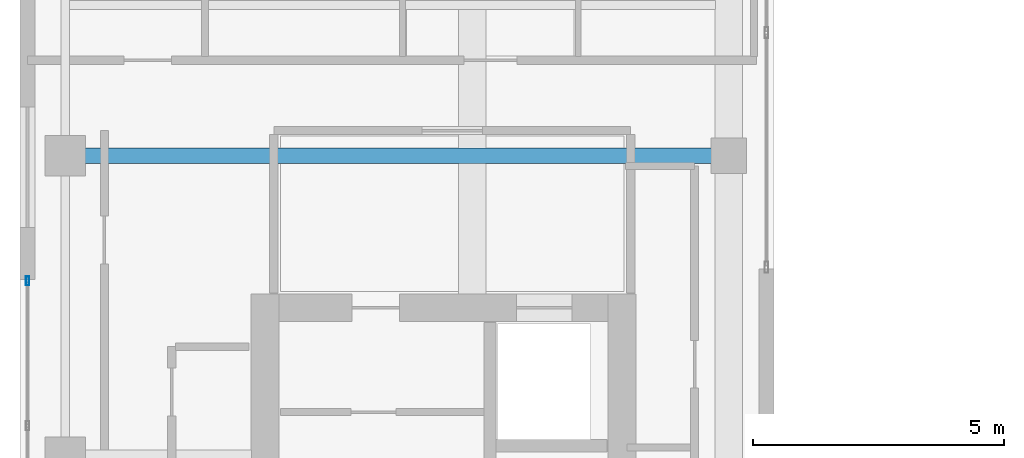
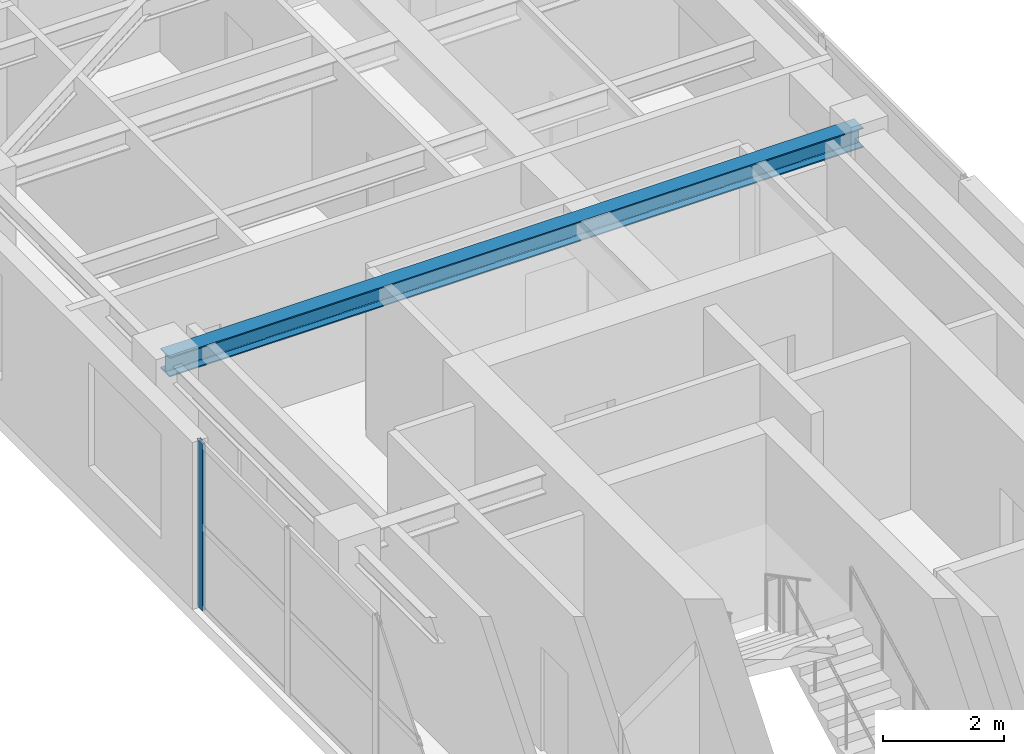
# One storey, part 8 of 23: 1 beam, 1 member, 1 element without a shape of its own.
"""IFC4 building model written with IfcOpenShell, lengths in metres."""

from ifc_helpers import new_model, si_unit, direction, frame, origin, origin_2d, place, context, subcontext, project, spatial, hollow_rectangle, i_section, extrude, source, transform, mapped, material, layer, layer_set, material_profile, profile_set, type_object, element, aggregate, save


model = new_model("IFC4")

# Units and contexts
model_context = context("Model", 3, precision=1e-05, world=origin(), true_north=direction((0.0, 1.0)))
body_context = subcontext(model_context, "Body", "Model", "MODEL_VIEW")
ifc_project = project(units=[si_unit("LENGTHUNIT", "METRE"), si_unit("AREAUNIT", "SQUARE_METRE"), si_unit("VOLUMEUNIT", "CUBIC_METRE"), si_unit("PLANEANGLEUNIT", "RADIAN"), si_unit("MASSUNIT", "GRAM", prefix="KILO")], contexts=[model_context])

# Site, building, storey
site_placement = place(None, origin())
site = spatial("IfcSite", under=ifc_project, at=site_placement, CompositionType="ELEMENT")
building_placement = place(site_placement, origin())
building = spatial("IfcBuilding", under=site, at=building_placement, Name="Khoralis Quay Care Tower", CompositionType="ELEMENT")
storey_placement = place(building_placement, frame((0.0, 0.0, 252.89990234375)))
storey = spatial("IfcBuildingStorey", under=building, at=storey_placement, Name="L66", CompositionType="ELEMENT", Elevation=252.89990234375)

# Beam
ifc_material_1 = material(Name="Steel S355", Category="steel")
ifc_material_profile_1 = material_profile(ifc_material_1, i_section(OverallWidth=0.300048828125, OverallDepth=0.39990234375, WebThickness=0.013427734375, FlangeThickness=0.02392578125, FilletRadius=0.027099609375, at=origin_2d()), Name="Steel S355")
ifc_profile_set_1 = profile_set([ifc_material_profile_1], Name="Steel S355")
beam_type = type_object("IfcBeamType", Name="BM-HEB400", PredefinedType="BEAM", material=ifc_profile_set_1)
shared_shape_1 = source(origin(), body_context, "Body", "SweptSolid", [
    extrude(i_section(OverallWidth=0.300048828125, OverallDepth=0.39990234375, WebThickness=0.013427734375, FlangeThickness=0.02392578125, FilletRadius=0.027099609375, at=origin_2d()), origin(), (0.0, 0.0, 1.0), 13.2001953125),
])
beam_placement = place(storey_placement, frame((3.89990234375, 30.0, 3.16015625), z_axis=(1.0, 0.0, 0.0), x_axis=(0.0, 1.0, 0.0)))
element("IfcBeam", 1, at=beam_placement, inside=storey, type_object=beam_type, Name="BM-TGXW-L66-300", PredefinedType="BEAM", context=body_context, shape_type="MappedRepresentation", body=[
    mapped(shared_shape_1, transform((0.0, 0.0, 0.0), scale=1.0)),
])

# Curtain wall, member
ifc_material_2 = material(Name="Pale anodised aluminium", Category="aluminium")
ifc_layer = layer(ifc_material_2, 0.159912109375)
ifc_layer_set = layer_set([ifc_layer], Name="Pale anodised aluminium")
curtain_wall_type = type_object("IfcCurtainWallType", Name="CW-SYS-Z3", PredefinedType="NOTDEFINED", material=ifc_layer_set)
curtain_wall_placement = place(storey_placement, origin())
curtain_wall = element("IfcCurtainWall", 2, at=curtain_wall_placement, inside=storey, type_object=curtain_wall_type, Name="L66 Unitised Curtain Wall CW-L66-P1-E7", PredefinedType="NOTDEFINED")
ifc_material_profile_2 = material_profile(ifc_material_2, hollow_rectangle(XDim=0.06494140625, YDim=0.179931640625, WallThickness=0.00390625, at=origin_2d()), Name="Pale anodised aluminium")
ifc_profile_set_2 = profile_set([ifc_material_profile_2], Name="Pale anodised aluminium")
member_type = type_object("IfcMemberType", Name="CW-MUL-180", PredefinedType="MULLION", material=ifc_profile_set_2)
shared_shape_2 = source(origin(), body_context, "Body", "SweptSolid", [
    extrude(hollow_rectangle(XDim=0.06494140625, YDim=0.179931640625, WallThickness=0.00390625, at=origin_2d()), origin(), (0.0, 0.0, 1.0), 3.360107421875),
])
member_placement = place(storey_placement, frame((3.14990234375, 27.510009765625, 0.0), z_axis=(0.0, 0.0, 1.0), x_axis=(1.0, 0.0, 0.0)))
member = element("IfcMember", 3, at=member_placement, type_object=member_type, Name="CW3 mullion 1", PredefinedType="MULLION", context=body_context, shape_type="MappedRepresentation", body=[
    mapped(shared_shape_2, transform((0.0, 0.0, 0.0), scale=1.0)),
])
aggregate(curtain_wall, [member])

save(model, "model.ifc")
